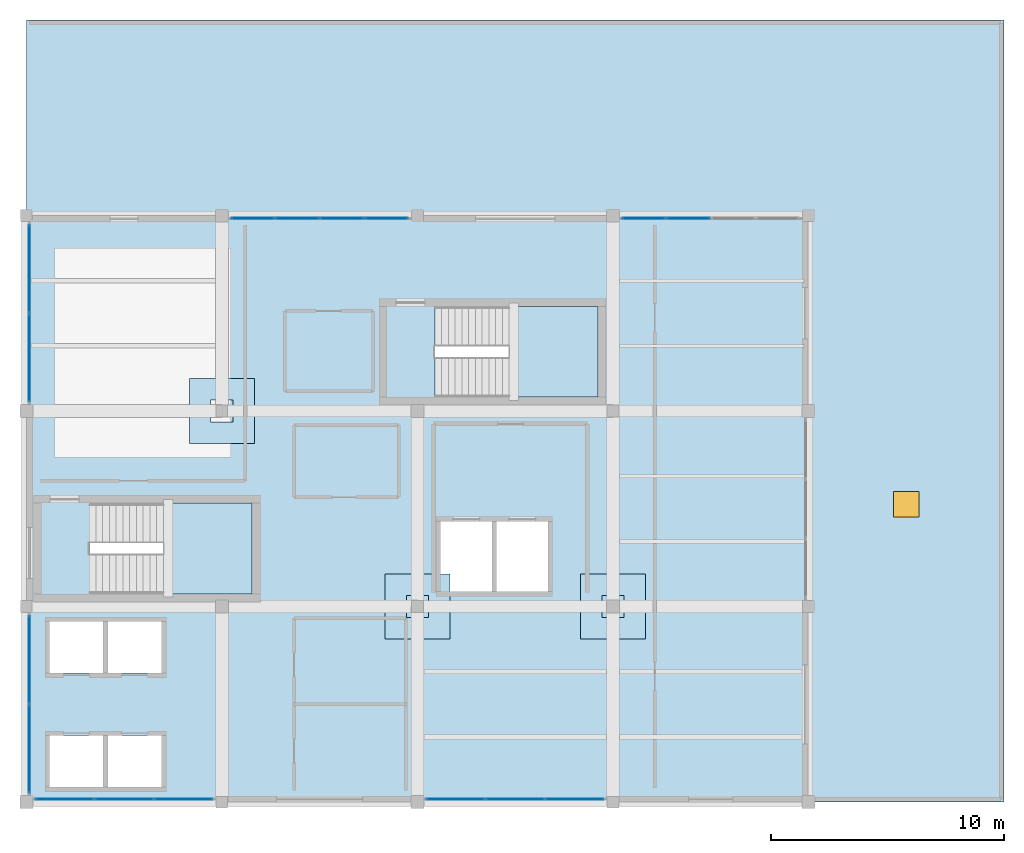
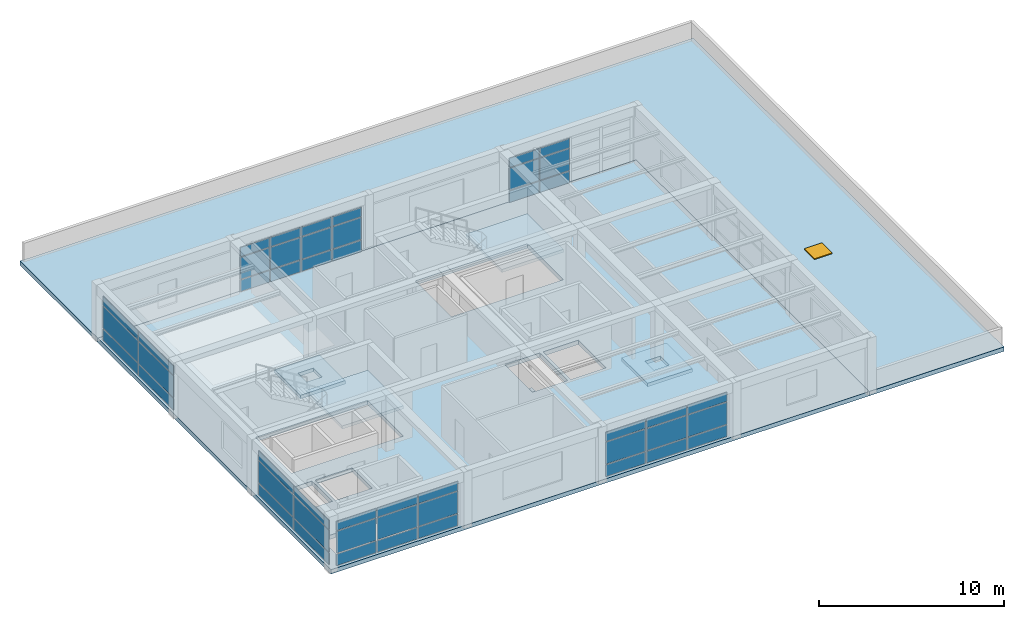
# One storey, part 18 of 22: 48 plates, 7 slabs, 1 door, 1 opening, 8 elements without a shape of their own.
"""IFC4 building model written with IfcOpenShell, lengths in metres."""

from ifc_helpers import new_model, si_unit, direction, frame, origin, origin_2d, place, context, subcontext, project, spatial, polyline, rectangle, outline, extrude, material, layer, layer_set, type_object, element, fill, aggregate, save


model = new_model("IFC4")

# Units and contexts
model_context = context("Model", 3, precision=1e-05, world=origin(), true_north=direction((0.0, 1.0)))
body_context = subcontext(model_context, "Body", "Model", "MODEL_VIEW")
ifc_project = project(units=[si_unit("LENGTHUNIT", "METRE"), si_unit("AREAUNIT", "SQUARE_METRE"), si_unit("VOLUMEUNIT", "CUBIC_METRE"), si_unit("PLANEANGLEUNIT", "RADIAN"), si_unit("MASSUNIT", "GRAM", prefix="KILO")], contexts=[model_context])

# Site, building, storey
site_placement = place(None, origin())
site = spatial("IfcSite", under=ifc_project, at=site_placement, CompositionType="ELEMENT")
building_placement = place(site_placement, origin())
building = spatial("IfcBuilding", under=site, at=building_placement, Name="Almacenes y Pasaje Nevantli", CompositionType="ELEMENT")
storey_placement = place(building_placement, frame((0.0, 0.0, 58.699951171875)))
storey = spatial("IfcBuildingStorey", under=building, at=storey_placement, Name="L14", CompositionType="ELEMENT", Elevation=58.699951171875)

# Curtain wall, plates
ifc_material_1 = material(Name="Thermally Broken Aluminium and Low-E Glass", Category="aluminium")
curtain_wall_type = type_object("IfcCurtainWallType", Name="CW-UNIT-TOWER", PredefinedType="USERDEFINED", material=ifc_material_1)
curtain_wall_1_placement = place(storey_placement, origin())
curtain_wall_1 = element("IfcCurtainWall", 1, at=curtain_wall_1_placement, inside=storey, type_object=curtain_wall_type, Name="L14 Tower South Unitized Curtain Wall Bay 15", ObjectType="UNITIZED CURTAIN WALL", PredefinedType="USERDEFINED")
ifc_material_2 = material(Name="Low-E Double Glazed Insulated Unit", Category="glass")
ifc_layer_1 = layer(ifc_material_2, 0.031982421875)
ifc_layer_set_1 = layer_set([ifc_layer_1], Name="Low-E Double Glazed Insulated Unit")
plate_type_1 = type_object("IfcPlateType", Name="PL-IGU-32", PredefinedType="CURTAIN_PANEL", material=ifc_layer_set_1)
plate_1_placement = place(storey_placement, frame((119.248291015625, 67.320068359375, 0.06005859375), z_axis=(0.0, 0.0, 1.0), x_axis=(1.0, 0.0, 0.0)))
plate_1 = element("IfcPlate", 2, at=plate_1_placement, type_object=plate_type_1, Name="CW-L14-177 panel 1.1", PredefinedType="CURTAIN_PANEL", context=body_context, shape_type="SweptSolid", body=[
    extrude(rectangle(XDim=2.4765625, YDim=0.031982421875, at=origin_2d()), origin(), (0.0, 0.0, 1.0), 0.760009765625),
])
plate_2_placement = place(storey_placement, frame((119.248291015625, 67.320068359375, 0.880126953125), z_axis=(0.0, 0.0, 1.0), x_axis=(1.0, 0.0, 0.0)))
plate_2 = element("IfcPlate", 3, at=plate_2_placement, type_object=plate_type_1, Name="CW-L14-177 panel 1.2", PredefinedType="CURTAIN_PANEL", context=body_context, shape_type="SweptSolid", body=[
    extrude(rectangle(XDim=2.4765625, YDim=0.031982421875, at=origin_2d()), origin(), (0.0, 0.0, 1.0), 1.43994140625),
])
plate_3_placement = place(storey_placement, frame((119.248291015625, 67.320068359375, 2.3798828125), z_axis=(0.0, 0.0, 1.0), x_axis=(1.0, 0.0, 0.0)))
plate_3 = element("IfcPlate", 4, at=plate_3_placement, type_object=plate_type_1, Name="CW-L14-177 panel 1.3", PredefinedType="CURTAIN_PANEL", context=body_context, shape_type="SweptSolid", body=[
    extrude(rectangle(XDim=2.4765625, YDim=0.031982421875, at=origin_2d()), origin(), (0.0, 0.0, 1.0), 0.60009765625),
])
plate_4_placement = place(storey_placement, frame((121.800048828125, 67.320068359375, 0.06005859375), z_axis=(0.0, 0.0, 1.0), x_axis=(1.0, 0.0, 0.0)))
plate_4 = element("IfcPlate", 5, at=plate_4_placement, type_object=plate_type_1, Name="CW-L14-177 panel 2.1", PredefinedType="CURTAIN_PANEL", context=body_context, shape_type="SweptSolid", body=[
    extrude(rectangle(XDim=2.506591796875, YDim=0.031982421875, at=origin_2d()), origin(), (0.0, 0.0, 1.0), 0.760009765625),
])
plate_5_placement = place(storey_placement, frame((121.800048828125, 67.320068359375, 0.880126953125), z_axis=(0.0, 0.0, 1.0), x_axis=(1.0, 0.0, 0.0)))
plate_5 = element("IfcPlate", 6, at=plate_5_placement, type_object=plate_type_1, Name="CW-L14-177 panel 2.2", PredefinedType="CURTAIN_PANEL", context=body_context, shape_type="SweptSolid", body=[
    extrude(rectangle(XDim=2.506591796875, YDim=0.031982421875, at=origin_2d()), origin(), (0.0, 0.0, 1.0), 1.43994140625),
])
plate_6_placement = place(storey_placement, frame((121.800048828125, 67.320068359375, 2.3798828125), z_axis=(0.0, 0.0, 1.0), x_axis=(1.0, 0.0, 0.0)))
plate_6 = element("IfcPlate", 7, at=plate_6_placement, type_object=plate_type_1, Name="CW-L14-177 panel 2.3", PredefinedType="CURTAIN_PANEL", context=body_context, shape_type="SweptSolid", body=[
    extrude(rectangle(XDim=2.506591796875, YDim=0.031982421875, at=origin_2d()), origin(), (0.0, 0.0, 1.0), 0.60009765625),
])
plate_7_placement = place(storey_placement, frame((124.3515625, 67.320068359375, 0.06005859375), z_axis=(0.0, 0.0, 1.0), x_axis=(1.0, 0.0, 0.0)))
plate_7 = element("IfcPlate", 8, at=plate_7_placement, type_object=plate_type_1, Name="CW-L14-177 panel 3.1", PredefinedType="CURTAIN_PANEL", context=body_context, shape_type="SweptSolid", body=[
    extrude(rectangle(XDim=2.4765625, YDim=0.031982421875, at=origin_2d()), origin(), (0.0, 0.0, 1.0), 0.760009765625),
])
plate_8_placement = place(storey_placement, frame((124.3515625, 67.320068359375, 0.880126953125), z_axis=(0.0, 0.0, 1.0), x_axis=(1.0, 0.0, 0.0)))
plate_8 = element("IfcPlate", 9, at=plate_8_placement, type_object=plate_type_1, Name="CW-L14-177 panel 3.2", PredefinedType="CURTAIN_PANEL", context=body_context, shape_type="SweptSolid", body=[
    extrude(rectangle(XDim=2.4765625, YDim=0.031982421875, at=origin_2d()), origin(), (0.0, 0.0, 1.0), 1.43994140625),
])
plate_9_placement = place(storey_placement, frame((124.3515625, 67.320068359375, 2.3798828125), z_axis=(0.0, 0.0, 1.0), x_axis=(1.0, 0.0, 0.0)))
plate_9 = element("IfcPlate", 10, at=plate_9_placement, type_object=plate_type_1, Name="CW-L14-177 panel 3.3", PredefinedType="CURTAIN_PANEL", context=body_context, shape_type="SweptSolid", body=[
    extrude(rectangle(XDim=2.4765625, YDim=0.031982421875, at=origin_2d()), origin(), (0.0, 0.0, 1.0), 0.60009765625),
])
aggregate(curtain_wall_1, [plate_1, plate_2, plate_3, plate_4, plate_5, plate_6, plate_7, plate_8, plate_9])

curtain_wall_2_placement = place(storey_placement, origin())
curtain_wall_2 = element("IfcCurtainWall", 11, at=curtain_wall_2_placement, inside=storey, type_object=curtain_wall_type, Name="L14 Tower South Unitized Curtain Wall Bay 17", ObjectType="UNITIZED CURTAIN WALL", PredefinedType="USERDEFINED")
plate_10_placement = place(storey_placement, frame((136.04833984375, 67.320068359375, 0.06005859375), z_axis=(0.0, 0.0, 1.0), x_axis=(1.0, 0.0, 0.0)))
plate_10 = element("IfcPlate", 12, at=plate_10_placement, type_object=plate_type_1, Name="CW-L14-179 panel 1.1", PredefinedType="CURTAIN_PANEL", context=body_context, shape_type="SweptSolid", body=[
    extrude(rectangle(XDim=2.4765625, YDim=0.031982421875, at=origin_2d()), origin(), (0.0, 0.0, 1.0), 0.760009765625),
])
plate_11_placement = place(storey_placement, frame((136.04833984375, 67.320068359375, 0.880126953125), z_axis=(0.0, 0.0, 1.0), x_axis=(1.0, 0.0, 0.0)))
plate_11 = element("IfcPlate", 13, at=plate_11_placement, type_object=plate_type_1, Name="CW-L14-179 panel 1.2", PredefinedType="CURTAIN_PANEL", context=body_context, shape_type="SweptSolid", body=[
    extrude(rectangle(XDim=2.4765625, YDim=0.031982421875, at=origin_2d()), origin(), (0.0, 0.0, 1.0), 1.43994140625),
])
plate_12_placement = place(storey_placement, frame((136.04833984375, 67.320068359375, 2.3798828125), z_axis=(0.0, 0.0, 1.0), x_axis=(1.0, 0.0, 0.0)))
plate_12 = element("IfcPlate", 14, at=plate_12_placement, type_object=plate_type_1, Name="CW-L14-179 panel 1.3", PredefinedType="CURTAIN_PANEL", context=body_context, shape_type="SweptSolid", body=[
    extrude(rectangle(XDim=2.4765625, YDim=0.031982421875, at=origin_2d()), origin(), (0.0, 0.0, 1.0), 0.60009765625),
])
plate_13_placement = place(storey_placement, frame((138.60009765625, 67.320068359375, 0.06005859375), z_axis=(0.0, 0.0, 1.0), x_axis=(1.0, 0.0, 0.0)))
plate_13 = element("IfcPlate", 15, at=plate_13_placement, type_object=plate_type_1, Name="CW-L14-179 panel 2.1", PredefinedType="CURTAIN_PANEL", context=body_context, shape_type="SweptSolid", body=[
    extrude(rectangle(XDim=2.506591796875, YDim=0.031982421875, at=origin_2d()), origin(), (0.0, 0.0, 1.0), 0.760009765625),
])
plate_14_placement = place(storey_placement, frame((138.60009765625, 67.320068359375, 0.880126953125), z_axis=(0.0, 0.0, 1.0), x_axis=(1.0, 0.0, 0.0)))
plate_14 = element("IfcPlate", 16, at=plate_14_placement, type_object=plate_type_1, Name="CW-L14-179 panel 2.2", PredefinedType="CURTAIN_PANEL", context=body_context, shape_type="SweptSolid", body=[
    extrude(rectangle(XDim=2.506591796875, YDim=0.031982421875, at=origin_2d()), origin(), (0.0, 0.0, 1.0), 1.43994140625),
])
plate_15_placement = place(storey_placement, frame((138.60009765625, 67.320068359375, 2.3798828125), z_axis=(0.0, 0.0, 1.0), x_axis=(1.0, 0.0, 0.0)))
plate_15 = element("IfcPlate", 17, at=plate_15_placement, type_object=plate_type_1, Name="CW-L14-179 panel 2.3", PredefinedType="CURTAIN_PANEL", context=body_context, shape_type="SweptSolid", body=[
    extrude(rectangle(XDim=2.506591796875, YDim=0.031982421875, at=origin_2d()), origin(), (0.0, 0.0, 1.0), 0.60009765625),
])
plate_16_placement = place(storey_placement, frame((141.151611328125, 67.320068359375, 0.06005859375), z_axis=(0.0, 0.0, 1.0), x_axis=(1.0, 0.0, 0.0)))
plate_16 = element("IfcPlate", 18, at=plate_16_placement, type_object=plate_type_1, Name="CW-L14-179 panel 3.1", PredefinedType="CURTAIN_PANEL", context=body_context, shape_type="SweptSolid", body=[
    extrude(rectangle(XDim=2.4765625, YDim=0.031982421875, at=origin_2d()), origin(), (0.0, 0.0, 1.0), 0.760009765625),
])
plate_17_placement = place(storey_placement, frame((141.151611328125, 67.320068359375, 0.880126953125), z_axis=(0.0, 0.0, 1.0), x_axis=(1.0, 0.0, 0.0)))
plate_17 = element("IfcPlate", 19, at=plate_17_placement, type_object=plate_type_1, Name="CW-L14-179 panel 3.2", PredefinedType="CURTAIN_PANEL", context=body_context, shape_type="SweptSolid", body=[
    extrude(rectangle(XDim=2.4765625, YDim=0.031982421875, at=origin_2d()), origin(), (0.0, 0.0, 1.0), 1.43994140625),
])
plate_18_placement = place(storey_placement, frame((141.151611328125, 67.320068359375, 2.3798828125), z_axis=(0.0, 0.0, 1.0), x_axis=(1.0, 0.0, 0.0)))
plate_18 = element("IfcPlate", 20, at=plate_18_placement, type_object=plate_type_1, Name="CW-L14-179 panel 3.3", PredefinedType="CURTAIN_PANEL", context=body_context, shape_type="SweptSolid", body=[
    extrude(rectangle(XDim=2.4765625, YDim=0.031982421875, at=origin_2d()), origin(), (0.0, 0.0, 1.0), 0.60009765625),
])
aggregate(curtain_wall_2, [plate_10, plate_11, plate_12, plate_13, plate_14, plate_15, plate_16, plate_17, plate_18])

curtain_wall_3_placement = place(storey_placement, origin())
curtain_wall_3 = element("IfcCurtainWall", 21, at=curtain_wall_3_placement, inside=storey, type_object=curtain_wall_type, Name="L14 Tower West Curtain Wall Bay 9", ObjectType="UNITIZED CURTAIN WALL", PredefinedType="USERDEFINED")
plate_19_placement = place(storey_placement, frame((117.719970703125, 69.489990234375, 0.06005859375), z_axis=(0.0, 0.0, 1.0), x_axis=(0.0, 1.0, 0.0)))
plate_19 = element("IfcPlate", 22, at=plate_19_placement, type_object=plate_type_1, Name="CW-L14-181 panel 1.1", PredefinedType="CURTAIN_PANEL", context=body_context, shape_type="SweptSolid", body=[
    extrude(rectangle(XDim=3.760009765625, YDim=0.031982421875, at=origin_2d()), origin(), (0.0, 0.0, 1.0), 0.760009765625),
])
plate_20_placement = place(storey_placement, frame((117.719970703125, 69.489990234375, 0.880126953125), z_axis=(0.0, 0.0, 1.0), x_axis=(0.0, 1.0, 0.0)))
plate_20 = element("IfcPlate", 23, at=plate_20_placement, type_object=plate_type_1, Name="CW-L14-181 panel 1.2", PredefinedType="CURTAIN_PANEL", context=body_context, shape_type="SweptSolid", body=[
    extrude(rectangle(XDim=3.760009765625, YDim=0.031982421875, at=origin_2d()), origin(), (0.0, 0.0, 1.0), 1.43994140625),
])
plate_21_placement = place(storey_placement, frame((117.719970703125, 69.489990234375, 2.3798828125), z_axis=(0.0, 0.0, 1.0), x_axis=(0.0, 1.0, 0.0)))
plate_21 = element("IfcPlate", 24, at=plate_21_placement, type_object=plate_type_1, Name="CW-L14-181 panel 1.3", PredefinedType="CURTAIN_PANEL", context=body_context, shape_type="SweptSolid", body=[
    extrude(rectangle(XDim=3.760009765625, YDim=0.031982421875, at=origin_2d()), origin(), (0.0, 0.0, 1.0), 0.60009765625),
])
plate_22_placement = place(storey_placement, frame((117.719970703125, 73.31005859375, 0.06005859375), z_axis=(0.0, 0.0, 1.0), x_axis=(0.0, 1.0, 0.0)))
plate_22 = element("IfcPlate", 25, at=plate_22_placement, type_object=plate_type_1, Name="CW-L14-181 panel 2.1", PredefinedType="CURTAIN_PANEL", context=body_context, shape_type="SweptSolid", body=[
    extrude(rectangle(XDim=3.760009765625, YDim=0.031982421875, at=origin_2d()), origin(), (0.0, 0.0, 1.0), 0.760009765625),
])
plate_23_placement = place(storey_placement, frame((117.719970703125, 73.31005859375, 0.880126953125), z_axis=(0.0, 0.0, 1.0), x_axis=(0.0, 1.0, 0.0)))
plate_23 = element("IfcPlate", 26, at=plate_23_placement, type_object=plate_type_1, Name="CW-L14-181 panel 2.2", PredefinedType="CURTAIN_PANEL", context=body_context, shape_type="SweptSolid", body=[
    extrude(rectangle(XDim=3.760009765625, YDim=0.031982421875, at=origin_2d()), origin(), (0.0, 0.0, 1.0), 1.43994140625),
])
plate_24_placement = place(storey_placement, frame((117.719970703125, 73.31005859375, 2.3798828125), z_axis=(0.0, 0.0, 1.0), x_axis=(0.0, 1.0, 0.0)))
plate_24 = element("IfcPlate", 27, at=plate_24_placement, type_object=plate_type_1, Name="CW-L14-181 panel 2.3", PredefinedType="CURTAIN_PANEL", context=body_context, shape_type="SweptSolid", body=[
    extrude(rectangle(XDim=3.760009765625, YDim=0.031982421875, at=origin_2d()), origin(), (0.0, 0.0, 1.0), 0.60009765625),
])
aggregate(curtain_wall_3, [plate_19, plate_20, plate_21, plate_22, plate_23, plate_24])

curtain_wall_4_placement = place(storey_placement, origin())
curtain_wall_4 = element("IfcCurtainWall", 28, at=curtain_wall_4_placement, inside=storey, type_object=curtain_wall_type, Name="L14 Tower West Curtain Wall Bay 11", ObjectType="UNITIZED CURTAIN WALL", PredefinedType="USERDEFINED")
plate_25_placement = place(storey_placement, frame((117.719970703125, 86.2900390625, 0.06005859375), z_axis=(0.0, 0.0, 1.0), x_axis=(0.0, 1.0, 0.0)))
plate_25 = element("IfcPlate", 29, at=plate_25_placement, type_object=plate_type_1, Name="CW-L14-183 panel 1.1", PredefinedType="CURTAIN_PANEL", context=body_context, shape_type="SweptSolid", body=[
    extrude(rectangle(XDim=3.760009765625, YDim=0.031982421875, at=origin_2d()), origin(), (0.0, 0.0, 1.0), 0.760009765625),
])
plate_26_placement = place(storey_placement, frame((117.719970703125, 86.2900390625, 0.880126953125), z_axis=(0.0, 0.0, 1.0), x_axis=(0.0, 1.0, 0.0)))
plate_26 = element("IfcPlate", 30, at=plate_26_placement, type_object=plate_type_1, Name="CW-L14-183 panel 1.2", PredefinedType="CURTAIN_PANEL", context=body_context, shape_type="SweptSolid", body=[
    extrude(rectangle(XDim=3.760009765625, YDim=0.031982421875, at=origin_2d()), origin(), (0.0, 0.0, 1.0), 1.43994140625),
])
plate_27_placement = place(storey_placement, frame((117.719970703125, 86.2900390625, 2.3798828125), z_axis=(0.0, 0.0, 1.0), x_axis=(0.0, 1.0, 0.0)))
plate_27 = element("IfcPlate", 31, at=plate_27_placement, type_object=plate_type_1, Name="CW-L14-183 panel 1.3", PredefinedType="CURTAIN_PANEL", context=body_context, shape_type="SweptSolid", body=[
    extrude(rectangle(XDim=3.760009765625, YDim=0.031982421875, at=origin_2d()), origin(), (0.0, 0.0, 1.0), 0.60009765625),
])
plate_28_placement = place(storey_placement, frame((117.719970703125, 90.110107421875, 0.06005859375), z_axis=(0.0, 0.0, 1.0), x_axis=(0.0, 1.0, 0.0)))
plate_28 = element("IfcPlate", 32, at=plate_28_placement, type_object=plate_type_1, Name="CW-L14-183 panel 2.1", PredefinedType="CURTAIN_PANEL", context=body_context, shape_type="SweptSolid", body=[
    extrude(rectangle(XDim=3.760009765625, YDim=0.031982421875, at=origin_2d()), origin(), (0.0, 0.0, 1.0), 0.760009765625),
])
plate_29_placement = place(storey_placement, frame((117.719970703125, 90.110107421875, 0.880126953125), z_axis=(0.0, 0.0, 1.0), x_axis=(0.0, 1.0, 0.0)))
plate_29 = element("IfcPlate", 33, at=plate_29_placement, type_object=plate_type_1, Name="CW-L14-183 panel 2.2", PredefinedType="CURTAIN_PANEL", context=body_context, shape_type="SweptSolid", body=[
    extrude(rectangle(XDim=3.760009765625, YDim=0.031982421875, at=origin_2d()), origin(), (0.0, 0.0, 1.0), 1.43994140625),
])
plate_30_placement = place(storey_placement, frame((117.719970703125, 90.110107421875, 2.3798828125), z_axis=(0.0, 0.0, 1.0), x_axis=(0.0, 1.0, 0.0)))
plate_30 = element("IfcPlate", 34, at=plate_30_placement, type_object=plate_type_1, Name="CW-L14-183 panel 2.3", PredefinedType="CURTAIN_PANEL", context=body_context, shape_type="SweptSolid", body=[
    extrude(rectangle(XDim=3.760009765625, YDim=0.031982421875, at=origin_2d()), origin(), (0.0, 0.0, 1.0), 0.60009765625),
])
aggregate(curtain_wall_4, [plate_25, plate_26, plate_27, plate_28, plate_29, plate_30])

curtain_wall_5_placement = place(storey_placement, origin())
curtain_wall_5 = element("IfcCurtainWall", 35, at=curtain_wall_5_placement, inside=storey, type_object=curtain_wall_type, Name="L14 Tower North Boulevard Unitized Curtain Wall Bay 16", ObjectType="UNITIZED CURTAIN WALL", PredefinedType="USERDEFINED")
ifc_material_3 = material(Name="Acoustic Tempered Low-E Triple Glazed Unit", Category="glass")
ifc_layer_2 = layer(ifc_material_3, 0.0419921875)
ifc_layer_set_2 = layer_set([ifc_layer_2], Name="Acoustic Tempered Low-E Triple Glazed Unit")
plate_type_2 = type_object("IfcPlateType", Name="PL-IGU-42", PredefinedType="CURTAIN_PANEL", material=ifc_layer_set_2)
plate_31_placement = place(storey_placement, frame((127.328857421875, 92.280029296875, 0.065185546875), z_axis=(0.0, 0.0, 1.0), x_axis=(1.0, 0.0, 0.0)))
plate_31 = element("IfcPlate", 36, at=plate_31_placement, type_object=plate_type_2, Name="CW-L14-178 panel 1.1", PredefinedType="CURTAIN_PANEL", context=body_context, shape_type="SweptSolid", body=[
    extrude(rectangle(XDim=1.827392578125, YDim=0.0419921875, at=origin_2d()), origin(), (0.0, 0.0, 1.0), 0.75244140625),
])
plate_32_placement = place(storey_placement, frame((127.328857421875, 92.280029296875, 0.882568359375), z_axis=(0.0, 0.0, 1.0), x_axis=(1.0, 0.0, 0.0)))
plate_32 = element("IfcPlate", 37, at=plate_32_placement, type_object=plate_type_2, Name="CW-L14-178 panel 1.2", PredefinedType="CURTAIN_PANEL", context=body_context, shape_type="SweptSolid", body=[
    extrude(rectangle(XDim=1.827392578125, YDim=0.0419921875, at=origin_2d()), origin(), (0.0, 0.0, 1.0), 1.43505859375),
])
plate_33_placement = place(storey_placement, frame((127.328857421875, 92.280029296875, 2.38232421875), z_axis=(0.0, 0.0, 1.0), x_axis=(1.0, 0.0, 0.0)))
plate_33 = element("IfcPlate", 38, at=plate_33_placement, type_object=plate_type_2, Name="CW-L14-178 panel 1.3", PredefinedType="CURTAIN_PANEL", context=body_context, shape_type="SweptSolid", body=[
    extrude(rectangle(XDim=1.827392578125, YDim=0.0419921875, at=origin_2d()), origin(), (0.0, 0.0, 1.0), 0.592529296875),
])
plate_34_placement = place(storey_placement, frame((129.237548828125, 92.280029296875, 0.065185546875), z_axis=(0.0, 0.0, 1.0), x_axis=(1.0, 0.0, 0.0)))
plate_34 = element("IfcPlate", 39, at=plate_34_placement, type_object=plate_type_2, Name="CW-L14-178 panel 2.1", PredefinedType="CURTAIN_PANEL", context=body_context, shape_type="SweptSolid", body=[
    extrude(rectangle(XDim=1.860107421875, YDim=0.0419921875, at=origin_2d()), origin(), (0.0, 0.0, 1.0), 0.75244140625),
])
plate_35_placement = place(storey_placement, frame((129.237548828125, 92.280029296875, 0.882568359375), z_axis=(0.0, 0.0, 1.0), x_axis=(1.0, 0.0, 0.0)))
plate_35 = element("IfcPlate", 40, at=plate_35_placement, type_object=plate_type_2, Name="CW-L14-178 panel 2.2", PredefinedType="CURTAIN_PANEL", context=body_context, shape_type="SweptSolid", body=[
    extrude(rectangle(XDim=1.860107421875, YDim=0.0419921875, at=origin_2d()), origin(), (0.0, 0.0, 1.0), 1.43505859375),
])
plate_36_placement = place(storey_placement, frame((129.237548828125, 92.280029296875, 2.38232421875), z_axis=(0.0, 0.0, 1.0), x_axis=(1.0, 0.0, 0.0)))
plate_36 = element("IfcPlate", 41, at=plate_36_placement, type_object=plate_type_2, Name="CW-L14-178 panel 2.3", PredefinedType="CURTAIN_PANEL", context=body_context, shape_type="SweptSolid", body=[
    extrude(rectangle(XDim=1.860107421875, YDim=0.0419921875, at=origin_2d()), origin(), (0.0, 0.0, 1.0), 0.592529296875),
])
plate_37_placement = place(storey_placement, frame((131.16259765625, 92.280029296875, 0.065185546875), z_axis=(0.0, 0.0, 1.0), x_axis=(1.0, 0.0, 0.0)))
plate_37 = element("IfcPlate", 42, at=plate_37_placement, type_object=plate_type_2, Name="CW-L14-178 panel 3.1", PredefinedType="CURTAIN_PANEL", context=body_context, shape_type="SweptSolid", body=[
    extrude(rectangle(XDim=1.860107421875, YDim=0.0419921875, at=origin_2d()), origin(), (0.0, 0.0, 1.0), 0.75244140625),
])
plate_38_placement = place(storey_placement, frame((131.16259765625, 92.280029296875, 0.882568359375), z_axis=(0.0, 0.0, 1.0), x_axis=(1.0, 0.0, 0.0)))
plate_38 = element("IfcPlate", 43, at=plate_38_placement, type_object=plate_type_2, Name="CW-L14-178 panel 3.2", PredefinedType="CURTAIN_PANEL", context=body_context, shape_type="SweptSolid", body=[
    extrude(rectangle(XDim=1.860107421875, YDim=0.0419921875, at=origin_2d()), origin(), (0.0, 0.0, 1.0), 1.43505859375),
])
plate_39_placement = place(storey_placement, frame((131.16259765625, 92.280029296875, 2.38232421875), z_axis=(0.0, 0.0, 1.0), x_axis=(1.0, 0.0, 0.0)))
plate_39 = element("IfcPlate", 44, at=plate_39_placement, type_object=plate_type_2, Name="CW-L14-178 panel 3.3", PredefinedType="CURTAIN_PANEL", context=body_context, shape_type="SweptSolid", body=[
    extrude(rectangle(XDim=1.860107421875, YDim=0.0419921875, at=origin_2d()), origin(), (0.0, 0.0, 1.0), 0.592529296875),
])
plate_40_placement = place(storey_placement, frame((133.0712890625, 92.280029296875, 0.065185546875), z_axis=(0.0, 0.0, 1.0), x_axis=(1.0, 0.0, 0.0)))
plate_40 = element("IfcPlate", 45, at=plate_40_placement, type_object=plate_type_2, Name="CW-L14-178 panel 4.1", PredefinedType="CURTAIN_PANEL", context=body_context, shape_type="SweptSolid", body=[
    extrude(rectangle(XDim=1.827392578125, YDim=0.0419921875, at=origin_2d()), origin(), (0.0, 0.0, 1.0), 0.75244140625),
])
plate_41_placement = place(storey_placement, frame((133.0712890625, 92.280029296875, 0.882568359375), z_axis=(0.0, 0.0, 1.0), x_axis=(1.0, 0.0, 0.0)))
plate_41 = element("IfcPlate", 46, at=plate_41_placement, type_object=plate_type_2, Name="CW-L14-178 panel 4.2", PredefinedType="CURTAIN_PANEL", context=body_context, shape_type="SweptSolid", body=[
    extrude(rectangle(XDim=1.827392578125, YDim=0.0419921875, at=origin_2d()), origin(), (0.0, 0.0, 1.0), 1.43505859375),
])
plate_42_placement = place(storey_placement, frame((133.0712890625, 92.280029296875, 2.38232421875), z_axis=(0.0, 0.0, 1.0), x_axis=(1.0, 0.0, 0.0)))
plate_42 = element("IfcPlate", 47, at=plate_42_placement, type_object=plate_type_2, Name="CW-L14-178 panel 4.3", PredefinedType="CURTAIN_PANEL", context=body_context, shape_type="SweptSolid", body=[
    extrude(rectangle(XDim=1.827392578125, YDim=0.0419921875, at=origin_2d()), origin(), (0.0, 0.0, 1.0), 0.592529296875),
])
aggregate(curtain_wall_5, [plate_31, plate_32, plate_33, plate_34, plate_35, plate_36, plate_37, plate_38, plate_39, plate_40, plate_41, plate_42])

curtain_wall_6_placement = place(storey_placement, origin())
curtain_wall_6 = element("IfcCurtainWall", 48, at=curtain_wall_6_placement, inside=storey, type_object=curtain_wall_type, Name="L14 Tower North Boulevard Unitized Curtain Wall Bay 18", ObjectType="UNITIZED CURTAIN WALL", PredefinedType="USERDEFINED")
plate_43_placement = place(storey_placement, frame((144.128662109375, 92.280029296875, 0.065185546875), z_axis=(0.0, 0.0, 1.0), x_axis=(1.0, 0.0, 0.0)))
plate_43 = element("IfcPlate", 49, at=plate_43_placement, type_object=plate_type_2, Name="CW-L14-180 panel 1.1", PredefinedType="CURTAIN_PANEL", context=body_context, shape_type="SweptSolid", body=[
    extrude(rectangle(XDim=1.827392578125, YDim=0.0419921875, at=origin_2d()), origin(), (0.0, 0.0, 1.0), 0.75244140625),
])
plate_44_placement = place(storey_placement, frame((144.128662109375, 92.280029296875, 0.882568359375), z_axis=(0.0, 0.0, 1.0), x_axis=(1.0, 0.0, 0.0)))
plate_44 = element("IfcPlate", 50, at=plate_44_placement, type_object=plate_type_2, Name="CW-L14-180 panel 1.2", PredefinedType="CURTAIN_PANEL", context=body_context, shape_type="SweptSolid", body=[
    extrude(rectangle(XDim=1.827392578125, YDim=0.0419921875, at=origin_2d()), origin(), (0.0, 0.0, 1.0), 1.43505859375),
])
plate_45_placement = place(storey_placement, frame((144.128662109375, 92.280029296875, 2.38232421875), z_axis=(0.0, 0.0, 1.0), x_axis=(1.0, 0.0, 0.0)))
plate_45 = element("IfcPlate", 51, at=plate_45_placement, type_object=plate_type_2, Name="CW-L14-180 panel 1.3", PredefinedType="CURTAIN_PANEL", context=body_context, shape_type="SweptSolid", body=[
    extrude(rectangle(XDim=1.827392578125, YDim=0.0419921875, at=origin_2d()), origin(), (0.0, 0.0, 1.0), 0.592529296875),
])
plate_46_placement = place(storey_placement, frame((146.03759765625, 92.280029296875, 0.065185546875), z_axis=(0.0, 0.0, 1.0), x_axis=(1.0, 0.0, 0.0)))
plate_46 = element("IfcPlate", 52, at=plate_46_placement, type_object=plate_type_2, Name="CW-L14-180 panel 2.1", PredefinedType="CURTAIN_PANEL", context=body_context, shape_type="SweptSolid", body=[
    extrude(rectangle(XDim=1.860107421875, YDim=0.0419921875, at=origin_2d()), origin(), (0.0, 0.0, 1.0), 0.75244140625),
])
plate_47_placement = place(storey_placement, frame((146.03759765625, 92.280029296875, 0.882568359375), z_axis=(0.0, 0.0, 1.0), x_axis=(1.0, 0.0, 0.0)))
plate_47 = element("IfcPlate", 53, at=plate_47_placement, type_object=plate_type_2, Name="CW-L14-180 panel 2.2", PredefinedType="CURTAIN_PANEL", context=body_context, shape_type="SweptSolid", body=[
    extrude(rectangle(XDim=1.860107421875, YDim=0.0419921875, at=origin_2d()), origin(), (0.0, 0.0, 1.0), 1.43505859375),
])
plate_48_placement = place(storey_placement, frame((146.03759765625, 92.280029296875, 2.38232421875), z_axis=(0.0, 0.0, 1.0), x_axis=(1.0, 0.0, 0.0)))
plate_48 = element("IfcPlate", 54, at=plate_48_placement, type_object=plate_type_2, Name="CW-L14-180 panel 2.3", PredefinedType="CURTAIN_PANEL", context=body_context, shape_type="SweptSolid", body=[
    extrude(rectangle(XDim=1.860107421875, YDim=0.0419921875, at=origin_2d()), origin(), (0.0, 0.0, 1.0), 0.592529296875),
])
aggregate(curtain_wall_6, [plate_43, plate_44, plate_45, plate_46, plate_47, plate_48])

# Slabs
ifc_material_4 = material(Name="Concrete C35/45", Category="concrete")
ifc_layer_3 = layer(ifc_material_4, 0.22998046875)
ifc_layer_set_3 = layer_set([ifc_layer_3], Name="Concrete C35/45")
slab_type_1 = type_object("IfcSlabType", Name="SLB-DP-230", PredefinedType="USERDEFINED", material=ifc_layer_set_3)
slab_1_placement = place(storey_placement, frame((0.0, 0.0, -0.510009765625)))
element("IfcSlab", 55, at=slab_1_placement, inside=storey, type_object=slab_type_1, Name="L14 Punching-Shear Drop Panel DP-01 #1179", ObjectType="DROP PANEL", PredefinedType="USERDEFINED", context=body_context, shape_type="SweptSolid", body=[
    extrude(outline(polyline([(124.60009765625, 82.60009765625), (127.39990234375, 82.60009765625), (127.39990234375, 85.39990234375), (124.60009765625, 85.39990234375), (124.60009765625, 82.60009765625)]), holes=[polyline([(125.52001953125, 83.52001953125), (126.47998046875, 83.52001953125), (126.47998046875, 84.47998046875), (125.52001953125, 84.47998046875), (125.52001953125, 83.52001953125)])]), origin(), (0.0, 0.0, 1.0), 0.22998046875),
])
slab_2_placement = place(storey_placement, frame((0.0, 0.0, -0.510009765625)))
element("IfcSlab", 56, at=slab_2_placement, inside=storey, type_object=slab_type_1, Name="L14 Punching-Shear Drop Panel DP-01 #1180", ObjectType="DROP PANEL", PredefinedType="USERDEFINED", context=body_context, shape_type="SweptSolid", body=[
    extrude(outline(polyline([(133.0, 74.199951171875), (135.800048828125, 74.199951171875), (135.800048828125, 77.0), (133.0, 77.0), (133.0, 74.199951171875)]), holes=[polyline([(133.919921875, 75.1201171875), (134.8798828125, 75.1201171875), (134.8798828125, 76.080078125), (133.919921875, 76.080078125), (133.919921875, 75.1201171875)])]), origin(), (0.0, 0.0, 1.0), 0.22998046875),
])
slab_3_placement = place(storey_placement, frame((0.0, 0.0, -0.510009765625)))
element("IfcSlab", 57, at=slab_3_placement, inside=storey, type_object=slab_type_1, Name="L14 Punching-Shear Drop Panel DP-01 #1181", ObjectType="DROP PANEL", PredefinedType="USERDEFINED", context=body_context, shape_type="SweptSolid", body=[
    extrude(outline(polyline([(141.39990234375, 74.199951171875), (144.199951171875, 74.199951171875), (144.199951171875, 77.0), (141.39990234375, 77.0), (141.39990234375, 74.199951171875)]), holes=[polyline([(142.320068359375, 75.1201171875), (143.280029296875, 75.1201171875), (143.280029296875, 76.080078125), (142.320068359375, 76.080078125), (142.320068359375, 75.1201171875)])]), origin(), (0.0, 0.0, 1.0), 0.22998046875),
])
ifc_material_5 = material(Name="Concrete C35/45", Category="concrete")
ifc_layer_4 = layer(ifc_material_5, 0.280029296875)
ifc_layer_set_4 = layer_set([ifc_layer_4], Name="Concrete C35/45")
slab_type_2 = type_object("IfcSlabType", Name="SLB-FLR-280", PredefinedType="FLOOR", material=ifc_layer_set_4)
slab_4_placement = place(storey_placement, frame((0.0, 0.0, -0.280029296875)))
element("IfcSlab", 58, at=slab_4_placement, inside=storey, type_object=slab_type_2, Name="L14 Corporate Office Tower Floor Slab", PredefinedType="FLOOR", context=body_context, shape_type="SweptSolid", body=[
    extrude(outline(polyline([(117.60009765625, 67.199951171875), (151.199951171875, 67.199951171875), (151.199951171875, 92.39990234375), (117.60009765625, 92.39990234375), (117.60009765625, 67.199951171875)]), holes=[polyline([(120.31494140625, 76.14990234375), (127.300048828125, 76.14990234375), (127.300048828125, 80.0400390625), (120.31494140625, 80.0400390625), (120.31494140625, 76.14990234375)]), polyline([(135.1650390625, 84.60009765625), (142.14990234375, 84.60009765625), (142.14990234375, 88.489990234375), (135.1650390625, 88.489990234375), (135.1650390625, 84.60009765625)]), polyline([(118.60009765625, 67.85009765625), (120.89990234375, 67.85009765625), (120.89990234375, 70.050048828125), (118.60009765625, 70.050048828125), (118.60009765625, 67.85009765625)]), polyline([(121.10009765625, 67.85009765625), (123.39990234375, 67.85009765625), (123.39990234375, 70.050048828125), (121.10009765625, 70.050048828125), (121.10009765625, 67.85009765625)]), polyline([(118.60009765625, 72.75), (120.89990234375, 72.75), (120.89990234375, 74.949951171875), (118.60009765625, 74.949951171875), (118.60009765625, 72.75)]), polyline([(121.10009765625, 72.75), (123.39990234375, 72.75), (123.39990234375, 74.949951171875), (121.10009765625, 74.949951171875), (121.10009765625, 72.75)]), polyline([(135.39990234375, 76.25), (137.60009765625, 76.25), (137.60009765625, 79.25), (135.39990234375, 79.25), (135.39990234375, 76.25)]), polyline([(137.800048828125, 76.25), (140.0, 76.25), (140.0, 79.25), (137.800048828125, 79.25), (137.800048828125, 76.25)])]), origin(), (0.0, 0.0, 1.0), 0.280029296875),
])

# Stair, slab
ifc_material_6 = material(Name="Concrete C35/45", Category="concrete")
stair_type = type_object("IfcStairType", Name="STR-CORE-1720", PredefinedType="HALF_TURN_STAIR", material=ifc_material_6)
stair_1_placement = place(storey_placement, origin())
stair_1 = element("IfcStair", 59, at=stair_1_placement, inside=storey, type_object=stair_type, Name="L14 Staircase ST-01", PredefinedType="HALF_TURN_STAIR")
ifc_material_7 = material(Name="Concrete C35/45", Category="concrete")
ifc_layer_5 = layer(ifc_material_7, 0.199951171875)
ifc_layer_set_5 = layer_set([ifc_layer_5], Name="Concrete C35/45")
slab_type_3 = type_object("IfcSlabType", Name="SLB-LAND-200", PredefinedType="LANDING", material=ifc_layer_set_5)
slab_5_placement = place(storey_placement, frame((0.0, 0.0, 1.800048828125)))
slab_5 = element("IfcSlab", 60, at=slab_5_placement, type_object=slab_type_3, Name="ST-01-L14 landing 1", PredefinedType="LANDING", context=body_context, shape_type="SweptSolid", body=[
    extrude(outline(polyline([(123.47509765625, 76.14990234375), (127.300048828125, 76.14990234375), (127.300048828125, 80.0400390625), (123.47509765625, 80.0400390625), (123.47509765625, 76.14990234375)])), origin(), (0.0, 0.0, 1.0), 0.199951171875),
])
aggregate(stair_1, [slab_5])

stair_2_placement = place(storey_placement, origin())
stair_2 = element("IfcStair", 61, at=stair_2_placement, inside=storey, type_object=stair_type, Name="L14 Staircase ST-02", PredefinedType="HALF_TURN_STAIR")
slab_6_placement = place(storey_placement, frame((0.0, 0.0, 1.800048828125)))
slab_6 = element("IfcSlab", 62, at=slab_6_placement, type_object=slab_type_3, Name="ST-02-L14 landing 1", PredefinedType="LANDING", context=body_context, shape_type="SweptSolid", body=[
    extrude(outline(polyline([(138.324951171875, 84.60009765625), (142.14990234375, 84.60009765625), (142.14990234375, 88.489990234375), (138.324951171875, 88.489990234375), (138.324951171875, 84.60009765625)])), origin(), (0.0, 0.0, 1.0), 0.199951171875),
])
aggregate(stair_2, [slab_6])

# Slab, opening, door
ifc_material_8 = material(Name="Concrete C35/45", Category="concrete")
ifc_layer_6 = layer(ifc_material_8, 0.280029296875)
ifc_layer_set_6 = layer_set([ifc_layer_6], Name="Concrete C35/45")
slab_type_4 = type_object("IfcSlabType", Name="SLB-ROOF-280", PredefinedType="ROOF", material=ifc_layer_set_6)
slab_7_placement = place(storey_placement, frame((0.0, 0.0, -0.280029296875)))
slab_7 = element("IfcSlab", 63, at=slab_7_placement, inside=storey, type_object=slab_type_4, Name="L14 Upper Tower Setback Maintenance Roof Slab", PredefinedType="ROOF", context=body_context, shape_type="SweptSolid", body=[
    extrude(outline(polyline([(117.60009765625, 92.39990234375), (151.199951171875, 92.39990234375), (151.199951171875, 67.199951171875), (159.60009765625, 67.199951171875), (159.60009765625, 100.800048828125), (117.60009765625, 100.800048828125), (117.60009765625, 92.39990234375)])), origin(), (0.0, 0.0, 1.0), 0.280029296875),
])
opening_placement = place(slab_7_placement, frame((155.39990234375, 80.0, -0.010009765625)))
opening = element("IfcOpeningElement", 64, at=opening_placement, cuts=slab_7, Name="Opening HT-005", PredefinedType="OPENING", context=body_context, shape_type="SweptSolid", body=[
    extrude(rectangle(XDim=1.10009765625, YDim=1.10009765625, at=origin_2d()), origin(), (0.0, 0.0, 1.0), 0.35009765625),
])
ifc_material_9 = material(Name="Galvanized Insulated Steel", Category="steel")
door_type = type_object("IfcDoorType", Name="DR-HATCH-1100", OperationType="SINGLE_SWING_LEFT", PredefinedType="TRAPDOOR", material=ifc_material_9)
door_placement = place(slab_7_placement, frame((155.39990234375, 80.0, 0.280029296875)))
door = element("IfcDoor", 65, at=door_placement, inside=storey, type_object=door_type, Name="L14 Setback Maintenance Roof Access Hatch", OperationType="SINGLE_SWING_LEFT", OverallHeight=1.10009765625, OverallWidth=1.10009765625, PredefinedType="TRAPDOOR", context=body_context, shape_type="SweptSolid", body=[
    extrude(rectangle(XDim=1.10009765625, YDim=1.10009765625, at=origin_2d()), origin(), (0.0, 0.0, 1.0), 0.050048828125),
])
fill(opening, door)

save(model, "model.ifc")
